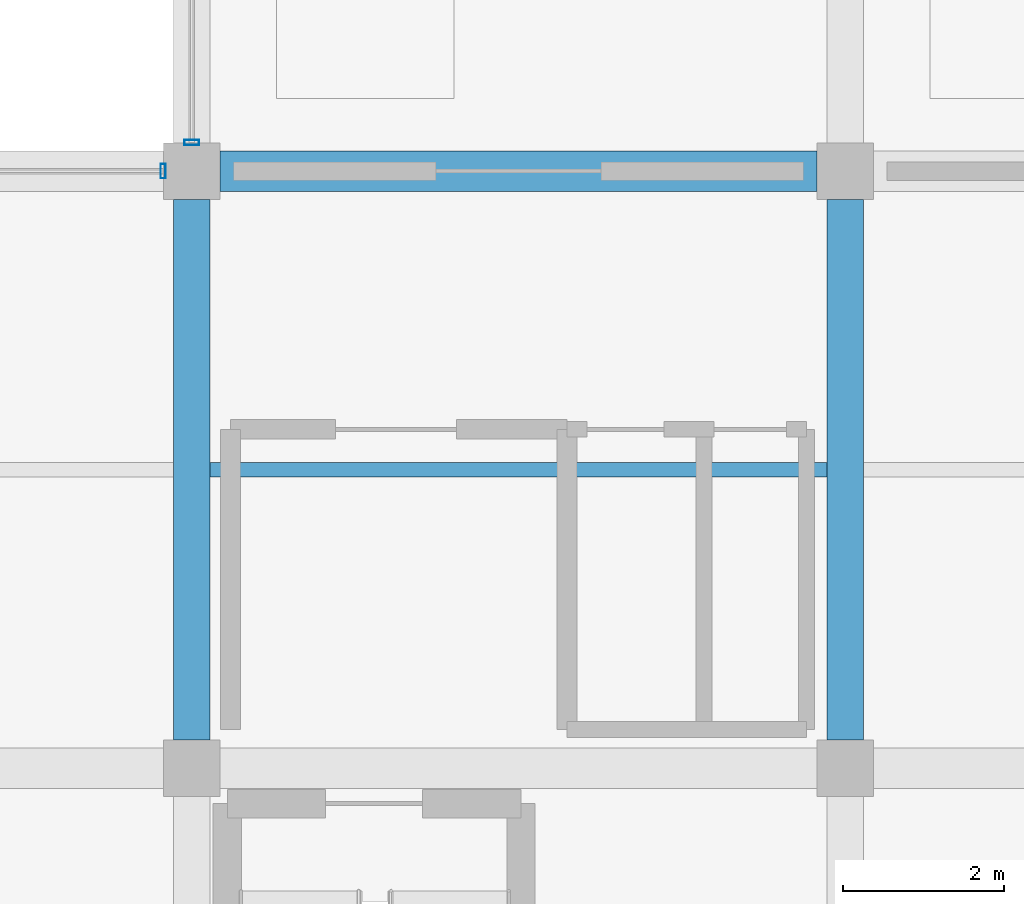
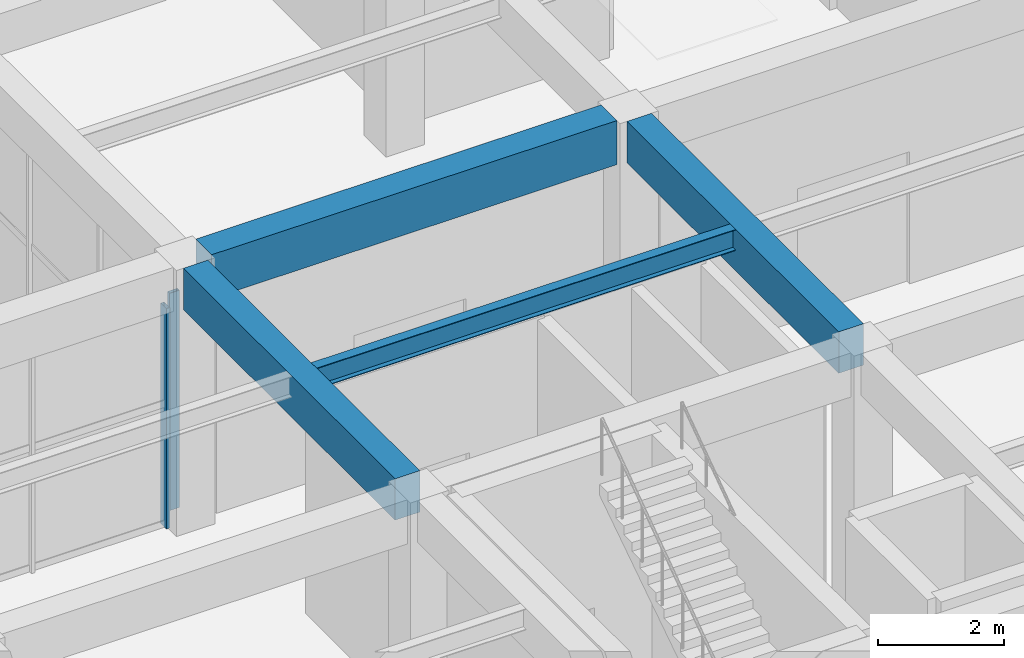
# One storey, part 45 of 140: 4 beams, 2 members, 2 elements without a shape of their own.
"""IFC4 building model written with IfcOpenShell, lengths in metres."""

import ifcopenshell
import ifcopenshell.guid

model = None  # the IFC model being written
_history = None  # IfcOwnerHistory: only IFC2X3 demands one
_inside = {}  # id of a spatial element -> (the spatial element, [elements in it])
_under = {}  # id of a project, library or spatial element -> (it, [spatial elements below it])
_declared = {}  # id of a project -> (the project, [libraries it declares])
_typed = {}  # id of a type object -> (the type object, [elements of that type])
_made_of = {}  # id of a material, layer set ... -> (it, [elements and type objects made of it])


def new_model(schema):
    """Start an empty IFC model of exactly this schema.

    Asked for "IFC4X3", IfcOpenShell would pick the latest addendum, in which some entities
    have other attributes; the version numbers below select the first issue.
    IFC2X3 requires an IfcOwnerHistory on every rooted entity: one is made here for all.
    """
    global model, _history
    if schema == "IFC4X3":
        model = ifcopenshell.file(schema_version=(4, 3, 0, 0))
    else:
        model = ifcopenshell.file(schema=schema)
    _inside.clear()
    _under.clear()
    _declared.clear()
    _typed.clear()
    _made_of.clear()
    _history = None
    if model.schema == "IFC2X3":
        org = make("IfcOrganization", Name="unknown")
        user = make(
            "IfcPersonAndOrganization",
            ThePerson=make("IfcPerson", FamilyName="unknown"),
            TheOrganization=org,
        )
        app = make(
            "IfcApplication",
            ApplicationDeveloper=org,
            Version="unknown",
            ApplicationFullName="unknown",
            ApplicationIdentifier="unknown",
        )
        _history = make(
            "IfcOwnerHistory",
            OwningUser=user,
            OwningApplication=app,
            ChangeAction="ADDED",
            CreationDate=0,
        )
    return model


def make(cls, **values):
    """One entity of the class cls with the attributes given. An attribute that is None is left unset."""
    return model.create_entity(
        cls, **{name: value for name, value in values.items() if value is not None}
    )


def rooted(cls, **values):
    """An entity with a GlobalId (a new one), such as an element, a storey or a relation."""
    return make(cls, GlobalId=ifcopenshell.guid.new(), OwnerHistory=_history, **values)


def si_unit(unit_type, name, prefix=None):
    """IfcSIUnit, for example si_unit("LENGTHUNIT", "METRE", prefix="MILLI")."""
    return make("IfcSIUnit", UnitType=unit_type, Prefix=prefix, Name=name)


def assignment(units):
    """IfcUnitAssignment: the units of a project."""
    return None if units is None else make("IfcUnitAssignment", Units=units)


def point(xyz):
    """IfcCartesianPoint."""
    return None if xyz is None else make("IfcCartesianPoint", Coordinates=xyz)


def direction(xyz):
    """IfcDirection."""
    return None if xyz is None else make("IfcDirection", DirectionRatios=xyz)


def frame(location, z_axis=None, x_axis=None):
    """IfcAxis2Placement3D, a coordinate frame: its origin and axes. An axis left out is left unset."""
    return make(
        "IfcAxis2Placement3D",
        Location=point(location),
        Axis=direction(z_axis),
        RefDirection=direction(x_axis),
    )


def frame_2d(location, x_axis=None):
    """IfcAxis2Placement2D, a coordinate frame in the plane: its origin and x axis."""
    return make(
        "IfcAxis2Placement2D", Location=point(location), RefDirection=direction(x_axis)
    )


def origin():
    """The frame at (0, 0, 0) with its axes left unset."""
    return frame((0.0, 0.0, 0.0))


def origin_2d():
    """The frame at (0, 0) in the plane with its x axis left unset."""
    return frame_2d((0.0, 0.0))


def place(relative_to, where):
    """IfcLocalPlacement: puts the frame where relative to a parent placement (None: the world)."""
    return make(
        "IfcLocalPlacement", PlacementRelTo=relative_to, RelativePlacement=where
    )


def context(
    kind, dimensions, precision=None, world=None, true_north=None, identifier=None
):
    """IfcGeometricRepresentationContext, for example the 3D "Model" context."""
    return make(
        "IfcGeometricRepresentationContext",
        ContextIdentifier=identifier,
        ContextType=kind,
        CoordinateSpaceDimension=dimensions,
        Precision=precision,
        WorldCoordinateSystem=world,
        TrueNorth=true_north,
    )


def subcontext(parent, identifier, kind, view, scale=None):
    """IfcGeometricRepresentationSubContext, for example "Body" below "Model"."""
    return make(
        "IfcGeometricRepresentationSubContext",
        ContextIdentifier=identifier,
        ContextType=kind,
        ParentContext=parent,
        TargetScale=scale,
        TargetView=view,
    )


def project(units=None, contexts=None):
    """IfcProject with its units and contexts."""
    return rooted(
        "IfcProject",
        Name="project",
        RepresentationContexts=contexts,
        UnitsInContext=assignment(units),
    )


def spatial(cls, under=None, at=None, **own):
    """A site, building, storey or space (cls), placed at a placement, below another one or the project."""
    s = rooted(cls, ObjectPlacement=at, **own)
    if under is not None:
        _under.setdefault(under.id(), (under, []))[1].append(s)
    return s


def profile(cls, at=None, kind="AREA", **sizes):
    """A parametric profile (cls). Its sizes go by their IFC names, for example OverallWidth=200.0."""
    return make(cls, ProfileType=kind, Position=at, **sizes)


def rectangle(**sizes):
    """IfcRectangleProfileDef."""
    return profile("IfcRectangleProfileDef", **sizes)


def hollow_rectangle(**sizes):
    """IfcRectangleHollowProfileDef."""
    return profile("IfcRectangleHollowProfileDef", **sizes)


def i_section(**sizes):
    """IfcIShapeProfileDef."""
    return profile("IfcIShapeProfileDef", **sizes)


def extrude(swept, where, along, depth):
    """IfcExtrudedAreaSolid: the profile swept, set in the frame where, extruded along a direction by depth."""
    return make(
        "IfcExtrudedAreaSolid",
        SweptArea=swept,
        Position=where,
        ExtrudedDirection=direction(along),
        Depth=depth,
    )


def shape(context_of_items, identifier, shape_type, items):
    """IfcShapeRepresentation: the items that make up one representation, for example the "Body"."""
    return make(
        "IfcShapeRepresentation",
        ContextOfItems=context_of_items,
        RepresentationIdentifier=identifier,
        RepresentationType=shape_type,
        Items=items,
    )


def material(Name=None, Category=None):
    """IfcMaterial."""
    return make("IfcMaterial", Name=Name, Category=Category)


def material_profile(
    of_material, cross_section, Name=None, Category=None, Priority=None
):
    """IfcMaterialProfile: a cross section and its material."""
    return make(
        "IfcMaterialProfile",
        Name=Name,
        Material=of_material,
        Profile=cross_section,
        Priority=Priority,
        Category=Category,
    )


def profile_set(profiles, Name=None, composite=None):
    """IfcMaterialProfileSet."""
    return make(
        "IfcMaterialProfileSet",
        Name=Name,
        MaterialProfiles=profiles,
        CompositeProfile=composite,
    )


def made_of(thing, what):
    """Note that an element or type object is made of a material, layer set ...; save() writes the relation."""
    if what is not None:
        _made_of.setdefault(what.id(), (what, []))[1].append(thing)
    return thing


def type_object(cls, material=None, **own):
    """A type object (cls), such as IfcWallType, which elements share."""
    return made_of(rooted(cls, **own), material)


def element(
    cls,
    number,
    at=None,
    inside=None,
    cuts=None,
    type_object=None,
    material=None,
    context=None,
    identifier="Body",
    shape_type=None,
    held_by="IfcProductDefinitionShape",
    body=None,
    shapes=None,
    **own,
):
    """One element of the class cls, such as IfcWall. Its Tag is "e" and its number.

    at: its placement. inside: the storey or other place that contains it. cuts: it is an
    opening in that element (IfcRelVoidsElement). A single representation is given by context,
    identifier, shape_type and body (its items); several are given by shapes. held_by: the class
    of the entity that holds the representations. save() writes the other relations.
    """
    e = rooted(cls, Tag="e%d" % number, ObjectPlacement=at, **own)
    if body is not None:
        shapes = [shape(context, identifier, shape_type, body)]
    if shapes is not None:
        e.Representation = make(held_by, Representations=shapes)
    if inside is not None:
        _inside.setdefault(inside.id(), (inside, []))[1].append(e)
    if cuts is not None:
        rooted(
            "IfcRelVoidsElement", RelatingBuildingElement=cuts, RelatedOpeningElement=e
        )
    if type_object is not None:
        _typed.setdefault(type_object.id(), (type_object, []))[1].append(e)
    return made_of(e, material)


def aggregate(whole, parts):
    """IfcRelAggregates: a whole, such as a stair, and the parts it consists of."""
    return rooted("IfcRelAggregates", RelatingObject=whole, RelatedObjects=parts)


def save(model, path):
    """Write the relations noted so far, then the file.

    IfcRelAggregates (storeys below a building ...), IfcRelContainedInSpatialStructure (elements
    in a storey), IfcRelDefinesByType, IfcRelAssociatesMaterial and IfcRelDeclares: one each for
    every whole, place, type object, material and project.
    """
    for whole, parts in _under.values():
        aggregate(whole, parts)
    for where, things in _inside.values():
        rooted(
            "IfcRelContainedInSpatialStructure",
            RelatedElements=things,
            RelatingStructure=where,
        )
    for kind, things in _typed.values():
        rooted("IfcRelDefinesByType", RelatedObjects=things, RelatingType=kind)
    for what, things in _made_of.values():
        rooted("IfcRelAssociatesMaterial", RelatedObjects=things, RelatingMaterial=what)
    for by, libraries in _declared.values():
        rooted("IfcRelDeclares", RelatingContext=by, RelatedDefinitions=libraries)
    model.write(path)


model = new_model("IFC4")

# Units and contexts
model_context = context("Model", 3, precision=1e-05, world=origin(), true_north=direction((0.0, 1.0)))
body_context = subcontext(model_context, "Body", "Model", "MODEL_VIEW")
ifc_project = project(units=[si_unit("LENGTHUNIT", "METRE"), si_unit("AREAUNIT", "SQUARE_METRE"), si_unit("VOLUMEUNIT", "CUBIC_METRE"), si_unit("PLANEANGLEUNIT", "RADIAN"), si_unit("MASSUNIT", "GRAM", prefix="KILO")], contexts=[model_context])

# Site, building, storey
site_placement = place(None, origin())
site = spatial("IfcSite", under=ifc_project, at=site_placement, CompositionType="ELEMENT")
building_placement = place(site_placement, origin())
building = spatial("IfcBuilding", under=site, at=building_placement, Name="Cimatlan Art Gallery", CompositionType="ELEMENT")
storey_placement = place(building_placement, origin())
storey = spatial("IfcBuildingStorey", under=building, at=storey_placement, Name="L00", CompositionType="ELEMENT", Elevation=0.0)

# Beams
ifc_material_1 = material(Name="Concrete C40/50", Category="concrete")
ifc_material_profile_1 = material_profile(ifc_material_1, rectangle(XDim=0.449951171875, YDim=0.800048828125, at=origin_2d()), Name="RC450X800")
ifc_profile_set_1 = profile_set([ifc_material_profile_1], Name="Concrete C40/50")
beam_type_1 = type_object("IfcBeamType", Name="BM-RC-450X800", PredefinedType="BEAM", material=ifc_profile_set_1)
for number, where, z_axis, x_axis, name in (
    (1, (115.39990234375, 31.64990234375, 4.735107421875), (0.0, 1.0, 0.0), (-1.0, 0.0, 0.0), "BM-Y-L00-14-04"),
    (2, (123.5, 31.64990234375, 4.735107421875), (0.0, 1.0, 0.0), (-1.0, 0.0, 0.0), "BM-Y-L00-15-04"),
):
    element("IfcBeam", number, at=place(storey_placement, frame(where, z_axis=z_axis, x_axis=x_axis)), inside=storey, type_object=beam_type_1, Name=name, PredefinedType="BEAM", context=body_context, shape_type="SweptSolid", body=[
        extrude(rectangle(XDim=0.449951171875, YDim=0.800048828125, at=origin_2d()), origin(), (0.0, 0.0, 1.0), 6.7001953125),
    ])
ifc_material_profile_2 = material_profile(ifc_material_1, rectangle(XDim=0.5, YDim=0.85009765625, at=origin_2d()), Name="RC500X850")
ifc_profile_set_2 = profile_set([ifc_material_profile_2], Name="Concrete C40/50")
beam_type_2 = type_object("IfcBeamType", Name="BM-RC-500X850", PredefinedType="BEAM", material=ifc_profile_set_2)
beam_1_placement = place(storey_placement, frame((115.75, 38.699951171875, 4.7099609375), z_axis=(1.0, 0.0, 0.0), x_axis=(0.0, 1.0, 0.0)))
element("IfcBeam", 3, at=beam_1_placement, inside=storey, type_object=beam_type_2, Name="BM-X-L00-14-05", PredefinedType="BEAM", context=body_context, shape_type="SweptSolid", body=[
    extrude(rectangle(XDim=0.5, YDim=0.85009765625, at=origin_2d()), origin(), (0.0, 0.0, 1.0), 7.39990234375),
])
ifc_material_2 = material(Name="Steel ASTM A992 Grade 50", Category="steel")
ifc_material_profile_3 = material_profile(ifc_material_2, i_section(OverallWidth=0.177978515625, OverallDepth=0.406982421875, WebThickness=0.0078125, FlangeThickness=0.0126953125, at=origin_2d()), Name="W16X40")
ifc_profile_set_3 = profile_set([ifc_material_profile_3], Name="Steel ASTM A992 Grade 50")
beam_type_3 = type_object("IfcBeamType", Name="BM-STL-W16X40", PredefinedType="JOIST", material=ifc_profile_set_3)
beam_2_placement = place(storey_placement, frame((115.625, 35.0, 4.931396484375), z_axis=(1.0, 0.0, 0.0), x_axis=(0.0, 1.0, 0.0)))
element("IfcBeam", 4, at=beam_2_placement, inside=storey, type_object=beam_type_3, Name="JST-L00-14-04", PredefinedType="JOIST", context=body_context, shape_type="SweptSolid", body=[
    extrude(i_section(OverallWidth=0.177978515625, OverallDepth=0.406982421875, WebThickness=0.0078125, FlangeThickness=0.0126953125, at=origin_2d()), origin(), (0.0, 0.0, 1.0), 7.64990234375),
])

# Curtain wall, member
ifc_material_3 = material(Name="Anodised bronze unitised curtain wall")
curtain_wall_type_1 = type_object("IfcCurtainWallType", Name="CW-V-07392X04255-B3", PredefinedType="NOTDEFINED", material=ifc_material_3)
curtain_wall_1_placement = place(storey_placement, origin())
curtain_wall_1 = element("IfcCurtainWall", 5, at=curtain_wall_1_placement, inside=storey, type_object=curtain_wall_type_1, Name="CW-L00-13-04-N", PredefinedType="NOTDEFINED")
ifc_material_4 = material(Name="Anodised bronze aluminium 6063-T6", Category="aluminium")
ifc_material_profile_4 = material_profile(ifc_material_4, hollow_rectangle(XDim=0.06494140625, YDim=0.179931640625, WallThickness=0.00390625, at=origin_2d()), Name="ALU65X180X4")
ifc_profile_set_4 = profile_set([ifc_material_profile_4], Name="Anodised bronze aluminium 6063-T6")
member_type = type_object("IfcMemberType", Name="CW-MUL-180", PredefinedType="MULLION", material=ifc_profile_set_4)
member_1_placement = place(storey_placement, frame((115.0458984375, 38.699951171875, 0.0), z_axis=(0.0, 0.0, 1.0), x_axis=(1.0, 0.0, 0.0)))
member_1 = element("IfcMember", 6, at=member_1_placement, type_object=member_type, Name="CW-L00-13-04-N-M4", PredefinedType="MULLION", context=body_context, shape_type="SweptSolid", body=[
    extrude(hollow_rectangle(XDim=0.06494140625, YDim=0.179931640625, WallThickness=0.00390625, at=origin_2d()), origin(), (0.0, 0.0, 1.0), 4.2548828125),
])
aggregate(curtain_wall_1, [member_1])

curtain_wall_type_2 = type_object("IfcCurtainWallType", Name="CW-V-06692X04195-B3", PredefinedType="NOTDEFINED", material=ifc_material_3)
curtain_wall_2_placement = place(storey_placement, origin())
curtain_wall_2 = element("IfcCurtainWall", 7, at=curtain_wall_2_placement, inside=storey, type_object=curtain_wall_type_2, Name="CW-L00-14-05-W", PredefinedType="NOTDEFINED")
member_2_placement = place(storey_placement, frame((115.39990234375, 39.053955078125, 0.0), z_axis=(0.0, 0.0, 1.0), x_axis=(0.0, 1.0, 0.0)))
member_2 = element("IfcMember", 8, at=member_2_placement, type_object=member_type, Name="CW-L00-14-05-W-M1", PredefinedType="MULLION", context=body_context, shape_type="SweptSolid", body=[
    extrude(hollow_rectangle(XDim=0.06494140625, YDim=0.179931640625, WallThickness=0.00390625, at=origin_2d()), origin(), (0.0, 0.0, 1.0), 4.195068359375),
])
aggregate(curtain_wall_2, [member_2])

save(model, "model.ifc")
